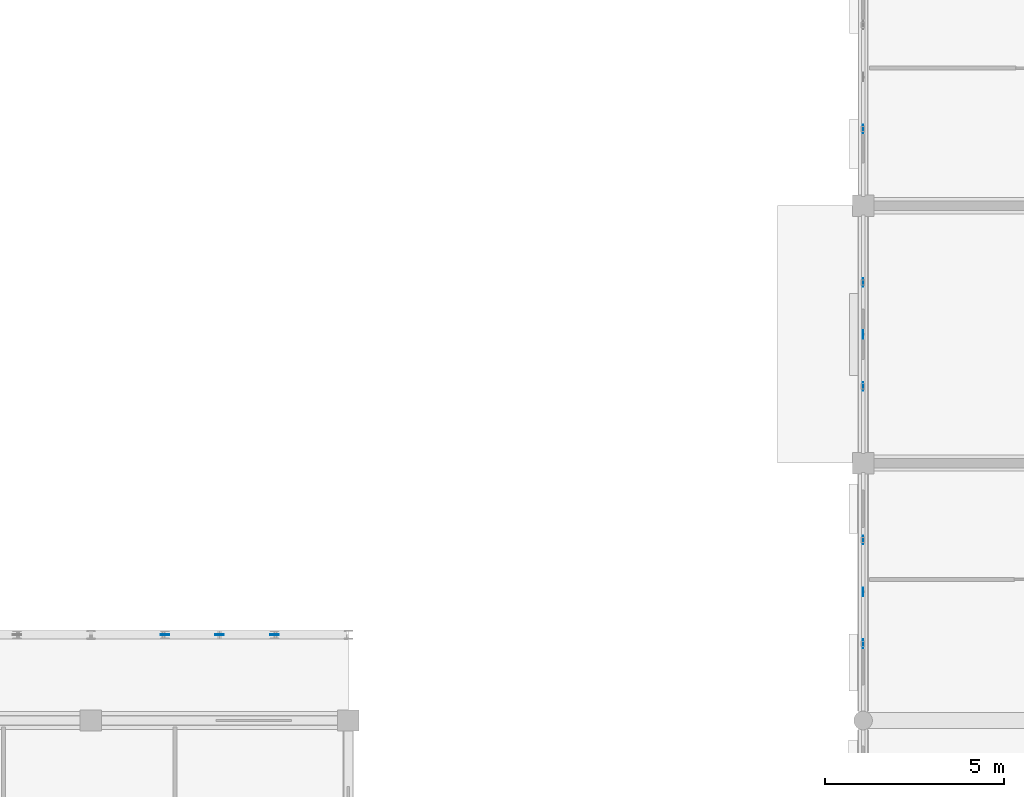
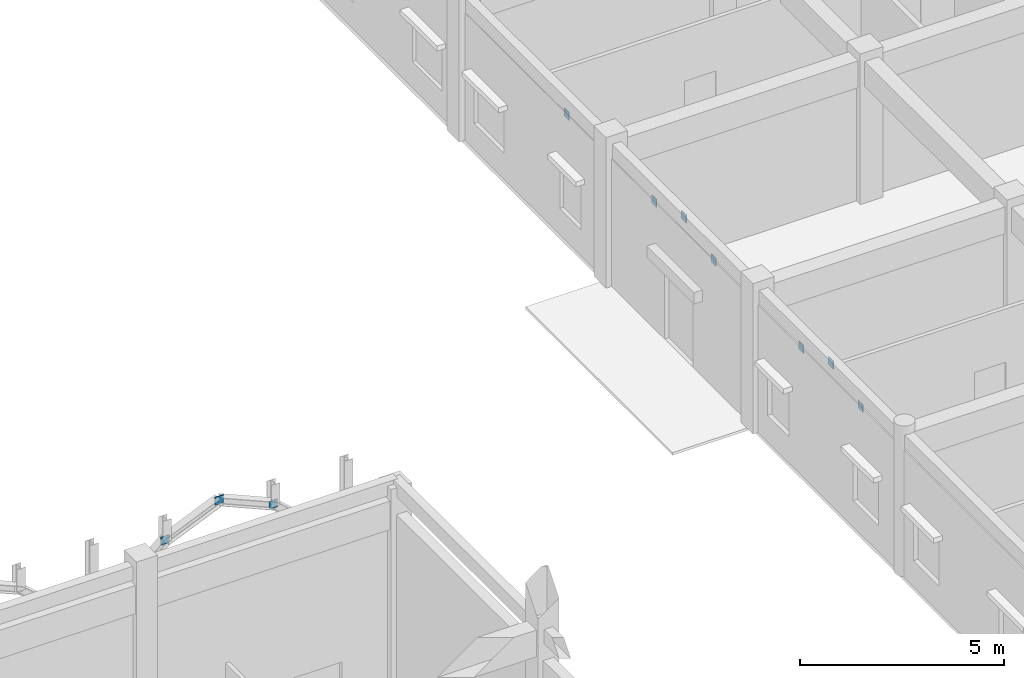
# One storey, part 85 of 138: 10 plates.
"""IFC4 building model written with IfcOpenShell, lengths in metres."""

from ifc_helpers import new_model, si_unit, direction, frame, origin, origin_2d, place, context, subcontext, project, spatial, rectangle, extrude, material, layer, layer_set, type_object, element, save


model = new_model("IFC4")

# Units and contexts
model_context = context("Model", 3, precision=1e-05, world=origin(), true_north=direction((0.0, 1.0)))
body_context = subcontext(model_context, "Body", "Model", "MODEL_VIEW")
ifc_project = project(units=[si_unit("LENGTHUNIT", "METRE"), si_unit("AREAUNIT", "SQUARE_METRE"), si_unit("VOLUMEUNIT", "CUBIC_METRE"), si_unit("PLANEANGLEUNIT", "RADIAN"), si_unit("MASSUNIT", "GRAM", prefix="KILO"), si_unit("THERMODYNAMICTEMPERATUREUNIT", "KELVIN"), si_unit("POWERUNIT", "WATT")], contexts=[model_context])

# Site, building, storey
site_placement = place(None, origin())
site = spatial("IfcSite", under=ifc_project, at=site_placement, CompositionType="ELEMENT")
building_placement = place(site_placement, origin())
building = spatial("IfcBuilding", under=site, at=building_placement, Name="Tavuni Mirador Residences", CompositionType="ELEMENT")
storey_placement = place(building_placement, origin())
storey = spatial("IfcBuildingStorey", under=building, at=storey_placement, Name="L00", CompositionType="ELEMENT", Elevation=0.0)

# Plates
ifc_material = material(Name="Structural steel S355", Category="steel")
ifc_layer = layer(ifc_material, 0.01806640625, Name="Structural steel S355", Category="steel")
ifc_layer_set = layer_set([ifc_layer], Name="Structural steel S355")
plate_type = type_object("IfcPlateType", Name="PLT-GP05", PredefinedType="USERDEFINED", material=ifc_layer_set)
for number, where, z_axis, x_axis, name in (
    (1, (70.46875, 103.199951171875, 6.181640625), (0.0, 0.0, 1.0), (1.0, 0.0, 0.0), "ARCH-HALL-N-04-GQ1"),
    (2, (72.0, 103.199951171875, 6.84326171875), (0.0, 0.0, 1.0), (1.0, 0.0, 0.0), "ARCH-HALL-N-04-GCR"),
    (3, (73.53125, 103.199951171875, 6.181640625), (0.0, 0.0, 1.0), (1.0, 0.0, 0.0), "ARCH-HALL-N-04-GQ2"),
):
    element("IfcPlate", number, at=place(storey_placement, frame(where, z_axis=z_axis, x_axis=x_axis)), inside=storey, type_object=plate_type, Name=name, ObjectType="GUSSET PLATE", PredefinedType="USERDEFINED", context=body_context, shape_type="SweptSolid", body=[
        extrude(rectangle(XDim=0.239990234375, YDim=0.02001953125, at=origin_2d()), origin(), (0.0, 0.0, 1.0), 0.239990234375),
    ])
for number, where, z_axis, x_axis, name in (
    (4, (90.0, 102.947998046875, 3.49560546875), (0.0, 0.0, 1.0), (1.0, 0.0, 0.0), "ARCH-BLKD-W-02-GQ1"),
    (5, (90.0, 104.39990234375, 3.91015625), (0.0, 0.0, 1.0), (1.0, 0.0, 0.0), "ARCH-BLKD-W-02-GCR"),
    (6, (90.0, 105.85205078125, 3.49560546875), (0.0, 0.0, 1.0), (1.0, 0.0, 0.0), "ARCH-BLKD-W-02-GQ2"),
    (7, (90.0, 110.14794921875, 3.49560546875), (0.0, 0.0, 1.0), (1.0, 0.0, 0.0), "ARCH-BLKD-W-03-GQ1"),
    (8, (90.0, 111.60009765625, 3.91015625), (0.0, 0.0, 1.0), (1.0, 0.0, 0.0), "ARCH-BLKD-W-03-GCR"),
    (9, (90.0, 113.052001953125, 3.49560546875), (0.0, 0.0, 1.0), (1.0, 0.0, 0.0), "ARCH-BLKD-W-03-GQ2"),
    (10, (90.0, 117.347900390625, 3.49560546875), (0.0, 0.0, 1.0), (1.0, 0.0, 0.0), "ARCH-BLKD-W-04-GQ1"),
):
    element("IfcPlate", number, at=place(storey_placement, frame(where, z_axis=z_axis, x_axis=x_axis)), inside=storey, type_object=plate_type, Name=name, ObjectType="GUSSET PLATE", PredefinedType="USERDEFINED", context=body_context, shape_type="SweptSolid", body=[
        extrude(rectangle(XDim=0.02001953125, YDim=0.239990234375, at=origin_2d()), origin(), (0.0, 0.0, 1.0), 0.239990234375),
    ])

save(model, "model.ifc")
